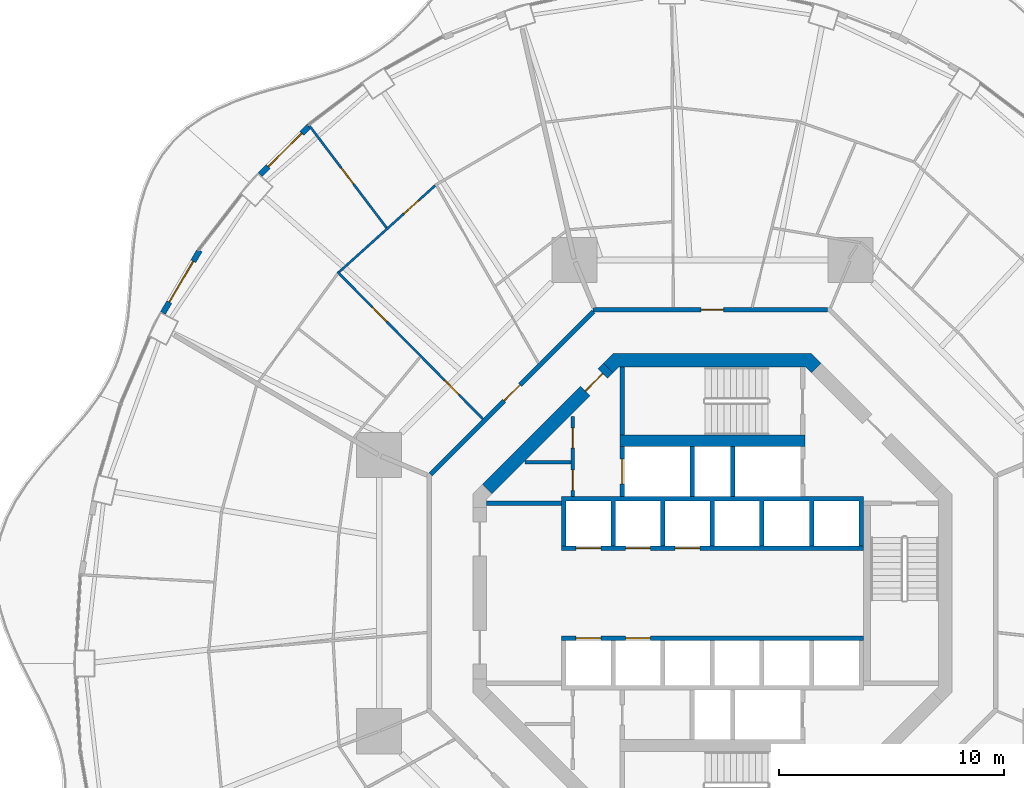
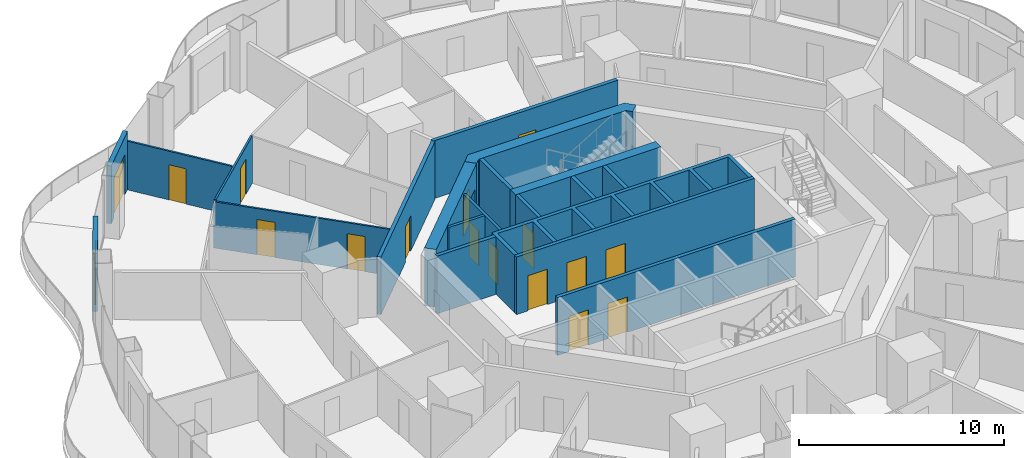
# One storey, part 15 of 20: 20 walls, 17 doors, 17 openings.
"""IFC4 building model written with IfcOpenShell, lengths in metres."""

from ifc_helpers import new_model, si_unit, direction, frame, frame_2d, origin, place, context, subcontext, project, spatial, polyline, rectangle, outline, extrude, material, layer, layer_set, type_object, element, fill, save


model = new_model("IFC4")

# Units and contexts
model_context = context("Model", 3, precision=1e-05, world=origin(), true_north=direction((0.0, 1.0)))
body_context = subcontext(model_context, "Body", "Model", "MODEL_VIEW")
ifc_project = project(units=[si_unit("LENGTHUNIT", "METRE"), si_unit("AREAUNIT", "SQUARE_METRE"), si_unit("VOLUMEUNIT", "CUBIC_METRE"), si_unit("PLANEANGLEUNIT", "RADIAN"), si_unit("MASSUNIT", "GRAM", prefix="KILO")], contexts=[model_context])

# Site, building, storey
site_placement = place(None, origin())
site = spatial("IfcSite", under=ifc_project, at=site_placement, CompositionType="ELEMENT")
building_placement = place(site_placement, origin())
building = spatial("IfcBuilding", under=site, at=building_placement, Name="Nagisa Residences", CompositionType="ELEMENT")
storey_placement = place(building_placement, frame((0.0, 0.0, 130.699951171875)))
storey = spatial("IfcBuildingStorey", under=building, at=storey_placement, Name="L32", CompositionType="ELEMENT", Elevation=130.699951171875)

# Wall, opening, door
ifc_material_1 = material(Name="Gypsum board on steel studs", Category="steel")
ifc_layer_1 = layer(ifc_material_1, 0.199951171875)
ifc_layer_set_1 = layer_set([ifc_layer_1], Name="Apartment entry wall EI60 200")
wall_type_1 = type_object("IfcWallType", Name="Apartment entry wall EI60 200", PredefinedType="PARTITIONING", material=ifc_layer_set_1)
wall_1_placement = place(storey_placement, frame((5.1044921875, 12.564697265625, 0.0), z_axis=(0.0, 0.0, 1.0), x_axis=(-1.0, 0.0, 0.0)))
wall_1 = element("IfcWall", 1, at=wall_1_placement, inside=storey, type_object=wall_type_1, Name="wall:L32:u12", PredefinedType="PARTITIONING", context=body_context, shape_type="SweptSolid", body=[
    extrude(rectangle(XDim=10.408935546875, YDim=0.199951171875, at=frame_2d((5.20458984375, 0.0))), origin(), (0.0, 0.0, 1.0), 3.43994140625),
])
opening_1_placement = place(wall_1_placement, frame((4.6044921875, 0.0, 0.0)))
opening_1 = element("IfcOpeningElement", 2, at=opening_1_placement, cuts=wall_1, Name="Opening L32-U44", PredefinedType="OPENING", context=body_context, shape_type="SweptSolid", body=[
    extrude(rectangle(XDim=1.0, YDim=2.10009765625, at=frame_2d((0.5, 1.050048828125))), frame((0.0, 0.10986328125, 0.0), z_axis=(0.0, -1.0, 0.0), x_axis=(1.0, 0.0, 0.0)), (0.0, 0.0, 1.0), 0.219970703125),
])
ifc_material_2 = material(Name="Timber fire door set", Category="wood")
door_type_1 = type_object("IfcDoorType", Name="Apartment entry door FD30S 1000x2100", OperationType="NOTDEFINED", PredefinedType="DOOR", material=ifc_material_2)
door_1_placement = place(opening_1_placement, frame((1.0, 0.0, 0.0), x_axis=(-1.0, 0.0, 0.0)))
door_1 = element("IfcDoor", 3, at=door_1_placement, inside=storey, type_object=door_type_1, Name="Entry door, Apartment 32E", OperationType="SINGLE_SWING_LEFT", OverallHeight=2.10009765625, OverallWidth=1.0, PredefinedType="DOOR", context=body_context, shape_type="SweptSolid", body=[
    extrude(rectangle(XDim=1.0, YDim=2.10009765625, at=frame_2d((0.5, 1.050048828125))), frame((0.0, 0.02490234375, 0.0), z_axis=(0.0, -1.0, 0.0), x_axis=(1.0, 0.0, 0.0)), (0.0, 0.0, 1.0), 0.050048828125),
])
fill(opening_1, door_1)

wall_2_placement = place(storey_placement, frame((-5.275146484375, 12.494140625, 0.0), z_axis=(0.0, 0.0, 1.0), x_axis=(-0.707106781187, -0.707106781187, 0.0)))
wall_2 = element("IfcWall", 4, at=wall_2_placement, inside=storey, type_object=wall_type_1, Name="wall:L32:u13", PredefinedType="PARTITIONING", context=body_context, shape_type="SweptSolid", body=[
    extrude(rectangle(XDim=10.209228515625, YDim=0.199951171875, at=frame_2d((5.1044921875, 0.0))), origin(), (0.0, 0.0, 1.0), 3.43994140625),
])
opening_2_placement = place(wall_2_placement, frame((4.6044921875, 0.0, 0.0)))
opening_2 = element("IfcOpeningElement", 5, at=opening_2_placement, cuts=wall_2, Name="Opening L32-U01", PredefinedType="OPENING", context=body_context, shape_type="SweptSolid", body=[
    extrude(rectangle(XDim=1.0, YDim=2.10009765625, at=frame_2d((0.5, 1.050048828125))), frame((0.0, 0.10986328125, 0.0), z_axis=(0.0, -1.0, 0.0), x_axis=(1.0, 0.0, 0.0)), (0.0, 0.0, 1.0), 0.219970703125),
])
door_2_placement = place(opening_2_placement, frame((1.0, 0.0, 0.0), x_axis=(-1.0, 0.0, 0.0)))
door_2 = element("IfcDoor", 6, at=door_2_placement, inside=storey, type_object=door_type_1, Name="Entry door, Apartment 32A", OperationType="SINGLE_SWING_RIGHT", OverallHeight=2.10009765625, OverallWidth=1.0, PredefinedType="DOOR", context=body_context, shape_type="SweptSolid", body=[
    extrude(rectangle(XDim=1.0, YDim=2.10009765625, at=frame_2d((0.5, 1.050048828125))), frame((0.0, 0.02490234375, 0.0), z_axis=(0.0, -1.0, 0.0), x_axis=(1.0, 0.0, 0.0)), (0.0, 0.0, 1.0), 0.050048828125),
])
fill(opening_2, door_2)

ifc_material_3 = material(Name="Gypsum board on steel studs", Category="steel")
ifc_layer_2 = layer(ifc_material_3, 0.10009765625)
ifc_layer_set_2 = layer_set([ifc_layer_2], Name="Apartment partition 100")
wall_type_2 = type_object("IfcWallType", Name="Apartment partition 100", PredefinedType="PARTITIONING", material=ifc_layer_set_2)
wall_3_placement = place(storey_placement, frame((-12.2890625, 18.088623046875, 0.0), z_axis=(0.0, 0.0, 1.0), x_axis=(-0.743146066164, -0.669129228435, 0.0)))
wall_3 = element("IfcWall", 7, at=wall_3_placement, inside=storey, type_object=wall_type_2, Name="wall:L32:u45", PredefinedType="PARTITIONING", context=body_context, shape_type="SweptSolid", body=[
    extrude(rectangle(XDim=5.7392578125, YDim=0.10009765625, at=frame_2d((2.86962890625, 0.0))), origin(), (0.0, 0.0, 1.0), 2.828125),
])
opening_3_placement = place(wall_3_placement, frame((0.98486328125, 0.0, 0.0)))
opening_3 = element("IfcOpeningElement", 8, at=opening_3_placement, cuts=wall_3, Name="Opening L32-U06", PredefinedType="OPENING", context=body_context, shape_type="SweptSolid", body=[
    extrude(rectangle(XDim=0.89990234375, YDim=2.10009765625, at=frame_2d((0.449951171875, 1.050048828125))), frame((0.0, 0.06005859375, 0.0), z_axis=(0.0, -1.0, 0.0), x_axis=(1.0, 0.0, 0.0)), (0.0, 0.0, 1.0), 0.1201171875),
])
ifc_material_4 = material(Name="Timber door set", Category="wood")
door_type_2 = type_object("IfcDoorType", Name="Apartment door 900x2100", OperationType="NOTDEFINED", PredefinedType="DOOR", material=ifc_material_4)
door_3_placement = place(opening_3_placement, frame((0.89990234375, 0.0, 0.0), x_axis=(-1.0, 0.0, 0.0)))
door_3 = element("IfcDoor", 9, at=door_3_placement, inside=storey, type_object=door_type_2, Name="Door to family room, Apartment 32A", OperationType="SINGLE_SWING_LEFT", OverallHeight=2.10009765625, OverallWidth=0.89990234375, PredefinedType="DOOR", context=body_context, shape_type="SweptSolid", body=[
    extrude(rectangle(XDim=0.89990234375, YDim=2.10009765625, at=frame_2d((0.449951171875, 1.050048828125))), frame((0.0, 0.02490234375, 0.0), z_axis=(0.0, -1.0, 0.0), x_axis=(1.0, 0.0, 0.0)), (0.0, 0.0, 1.0), 0.050048828125),
])
fill(opening_3, door_3)

wall_4_placement = place(storey_placement, frame((-14.451904296875, 16.208251953125, 0.0), z_axis=(0.0, 0.0, 1.0), x_axis=(-0.603267974074, 0.797538557975, 0.0)))
wall_4 = element("IfcWall", 10, at=wall_4_placement, inside=storey, type_object=wall_type_2, Name="wall:L32:u46", PredefinedType="PARTITIONING", context=body_context, shape_type="SweptSolid", body=[
    extrude(rectangle(XDim=5.764404296875, YDim=0.10009765625, at=frame_2d((2.88232421875, 0.0))), origin(), (0.0, 0.0, 1.0), 2.905029296875),
])
opening_4_placement = place(wall_4_placement, frame((2.432373046875, 0.0, 0.0)))
opening_4 = element("IfcOpeningElement", 11, at=opening_4_placement, cuts=wall_4, Name="Opening L32-U07", PredefinedType="OPENING", context=body_context, shape_type="SweptSolid", body=[
    extrude(rectangle(XDim=0.89990234375, YDim=2.10009765625, at=frame_2d((0.449951171875, 1.050048828125))), frame((0.0, 0.06005859375, 0.0), z_axis=(0.0, -1.0, 0.0), x_axis=(1.0, 0.0, 0.0)), (0.0, 0.0, 1.0), 0.1201171875),
])
door_4_placement = place(opening_4_placement, origin())
door_4 = element("IfcDoor", 12, at=door_4_placement, inside=storey, type_object=door_type_2, Name="Door to master bedroom, Apartment 32A", OperationType="SINGLE_SWING_LEFT", OverallHeight=2.10009765625, OverallWidth=0.89990234375, PredefinedType="DOOR", context=body_context, shape_type="SweptSolid", body=[
    extrude(rectangle(XDim=0.89990234375, YDim=2.10009765625, at=frame_2d((0.449951171875, 1.050048828125))), frame((0.0, 0.02490234375, 0.0), z_axis=(0.0, -1.0, 0.0), x_axis=(1.0, 0.0, 0.0)), (0.0, 0.0, 1.0), 0.050048828125),
])
fill(opening_4, door_4)

# Wall, openings, doors
wall_5_placement = place(storey_placement, frame((-10.181640625, 7.72900390625, 0.0), z_axis=(0.0, 0.0, 1.0), x_axis=(-0.702927211734, 0.711261790766, 0.0)))
wall_5 = element("IfcWall", 13, at=wall_5_placement, inside=storey, type_object=wall_type_2, Name="wall:L32:u47", PredefinedType="PARTITIONING", context=body_context, shape_type="SweptSolid", body=[
    extrude(rectangle(XDim=9.16845703125, YDim=0.10009765625, at=frame_2d((4.584228515625, 0.0))), origin(), (0.0, 0.0, 1.0), 2.756103515625),
])
opening_5_placement = place(wall_5_placement, frame((1.50732421875, 0.0, 0.0)))
opening_5 = element("IfcOpeningElement", 14, at=opening_5_placement, cuts=wall_5, Name="Opening L32-U03", PredefinedType="OPENING", context=body_context, shape_type="SweptSolid", body=[
    extrude(rectangle(XDim=0.89990234375, YDim=2.10009765625, at=frame_2d((0.449951171875, 1.050048828125))), frame((0.0, 0.06005859375, 0.0), z_axis=(0.0, -1.0, 0.0), x_axis=(1.0, 0.0, 0.0)), (0.0, 0.0, 1.0), 0.1201171875),
])
opening_6_placement = place(wall_5_placement, frame((6.066650390625, 0.0, 0.0)))
opening_6 = element("IfcOpeningElement", 15, at=opening_6_placement, cuts=wall_5, Name="Opening L32-U05", PredefinedType="OPENING", context=body_context, shape_type="SweptSolid", body=[
    extrude(rectangle(XDim=0.89990234375, YDim=2.10009765625, at=frame_2d((0.449951171875, 1.050048828125))), frame((0.0, 0.06005859375, 0.0), z_axis=(0.0, -1.0, 0.0), x_axis=(1.0, 0.0, 0.0)), (0.0, 0.0, 1.0), 0.1201171875),
])
door_5_placement = place(opening_5_placement, origin())
door_5 = element("IfcDoor", 16, at=door_5_placement, inside=storey, type_object=door_type_2, Name="Door to family bathroom, Apartment 32A", OperationType="SINGLE_SWING_LEFT", OverallHeight=2.10009765625, OverallWidth=0.89990234375, PredefinedType="DOOR", context=body_context, shape_type="SweptSolid", body=[
    extrude(rectangle(XDim=0.89990234375, YDim=2.10009765625, at=frame_2d((0.449951171875, 1.050048828125))), frame((0.0, 0.02490234375, 0.0), z_axis=(0.0, -1.0, 0.0), x_axis=(1.0, 0.0, 0.0)), (0.0, 0.0, 1.0), 0.050048828125),
])
fill(opening_5, door_5)
door_6_placement = place(opening_6_placement, origin())
door_6 = element("IfcDoor", 17, at=door_6_placement, inside=storey, type_object=door_type_2, Name="Door to family bathroom, Apartment 32A", OperationType="SINGLE_SWING_LEFT", OverallHeight=2.10009765625, OverallWidth=0.89990234375, PredefinedType="DOOR", context=body_context, shape_type="SweptSolid", body=[
    extrude(rectangle(XDim=0.89990234375, YDim=2.10009765625, at=frame_2d((0.449951171875, 1.050048828125))), frame((0.0, 0.02490234375, 0.0), z_axis=(0.0, -1.0, 0.0), x_axis=(1.0, 0.0, 0.0)), (0.0, 0.0, 1.0), 0.050048828125),
])
fill(opening_6, door_6)

# Wall, opening, door
ifc_material_5 = material(Name="Precast concrete C40/50", Category="concrete")
ifc_layer_3 = layer(ifc_material_5, 0.25)
ifc_layer_set_3 = layer_set([ifc_layer_3], Name="BALCONY DOOR WALL 250")
wall_type_3 = type_object("IfcWallType", Name="BALCONY DOOR WALL 250", PredefinedType="SOLIDWALL", material=ifc_layer_set_3)
wall_6_placement = place(storey_placement, frame((-20.050048828125, 18.56884765625, 0.0), z_axis=(0.0, 0.0, 1.0), x_axis=(0.707857823335, 0.706354940482, 0.0)))
wall_6 = element("IfcWall", 18, at=wall_6_placement, inside=storey, type_object=wall_type_3, Name="wall:L32:bay17", PredefinedType="SOLIDWALL", context=body_context, shape_type="SweptSolid", body=[
    extrude(rectangle(XDim=3.08642578125, YDim=0.25, at=frame_2d((1.543212890625, 0.0))), origin(), (0.0, 0.0, 1.0), 3.43994140625),
])
opening_7_placement = place(wall_6_placement, frame((0.493408203125, 0.0, 0.0)))
opening_7 = element("IfcOpeningElement", 19, at=opening_7_placement, cuts=wall_6, Name="Opening BD-L32-06", PredefinedType="OPENING", context=body_context, shape_type="SweptSolid", body=[
    extrude(rectangle(XDim=2.10009765625, YDim=2.39990234375, at=frame_2d((1.050048828125, 1.199951171875))), frame((0.0, 0.135009765625, 0.0), z_axis=(0.0, -1.0, 0.0), x_axis=(1.0, 0.0, 0.0)), (0.0, 0.0, 1.0), 0.27001953125),
])
ifc_material_6 = material(Name="Aluminium and clear glass", Category="aluminium")
door_type_3 = type_object("IfcDoorType", Name="BALCONY SLIDING DOOR 2100x2400", OperationType="SLIDING_TO_LEFT", PredefinedType="DOOR", material=ifc_material_6)
door_7_placement = place(opening_7_placement, origin())
door_7 = element("IfcDoor", 20, at=door_7_placement, inside=storey, type_object=door_type_3, Name="door:L32:bay17", OperationType="SLIDING_TO_LEFT", OverallHeight=2.39990234375, OverallWidth=2.10009765625, PredefinedType="DOOR", context=body_context, shape_type="SweptSolid", body=[
    extrude(rectangle(XDim=2.10009765625, YDim=2.39990234375, at=frame_2d((1.050048828125, 1.199951171875))), frame((0.0, 0.02490234375, 0.0), z_axis=(0.0, -1.0, 0.0), x_axis=(1.0, 0.0, 0.0)), (0.0, 0.0, 1.0), 0.050048828125),
])
fill(opening_7, door_7)

wall_7_placement = place(storey_placement, frame((-24.368408203125, 12.433837890625, 0.0), z_axis=(0.0, 0.0, 1.0), x_axis=(0.506314982873, 0.862348617508, 0.0)))
wall_7 = element("IfcWall", 21, at=wall_7_placement, inside=storey, type_object=wall_type_3, Name="wall:L32:bay19", PredefinedType="SOLIDWALL", context=body_context, shape_type="SweptSolid", body=[
    extrude(rectangle(XDim=3.20849609375, YDim=0.25, at=frame_2d((1.604248046875, 0.0))), origin(), (0.0, 0.0, 1.0), 3.43994140625),
])
opening_8_placement = place(wall_7_placement, frame((0.55419921875, 0.0, 0.0)))
opening_8 = element("IfcOpeningElement", 22, at=opening_8_placement, cuts=wall_7, Name="Opening BD-L32-07", PredefinedType="OPENING", context=body_context, shape_type="SweptSolid", body=[
    extrude(rectangle(XDim=2.10009765625, YDim=2.39990234375, at=frame_2d((1.050048828125, 1.199951171875))), frame((0.0, 0.135009765625, 0.0), z_axis=(0.0, -1.0, 0.0), x_axis=(1.0, 0.0, 0.0)), (0.0, 0.0, 1.0), 0.27001953125),
])
door_8_placement = place(opening_8_placement, origin())
door_8 = element("IfcDoor", 23, at=door_8_placement, inside=storey, type_object=door_type_3, Name="door:L32:bay19", OperationType="SLIDING_TO_LEFT", OverallHeight=2.39990234375, OverallWidth=2.10009765625, PredefinedType="DOOR", context=body_context, shape_type="SweptSolid", body=[
    extrude(rectangle(XDim=2.10009765625, YDim=2.39990234375, at=frame_2d((1.050048828125, 1.199951171875))), frame((0.0, 0.02490234375, 0.0), z_axis=(0.0, -1.0, 0.0), x_axis=(1.0, 0.0, 0.0)), (0.0, 0.0, 1.0), 0.050048828125),
])
fill(opening_8, door_8)

# Wall, openings, doors
ifc_material_7 = material(Name="Gypsum board on steel studs", Category="steel")
ifc_layer_4 = layer(ifc_material_7, 0.14990234375)
ifc_layer_set_4 = layer_set([ifc_layer_4], Name="Core partition 150")
wall_type_4 = type_object("IfcWallType", Name="Core partition 150", PredefinedType="PARTITIONING", material=ifc_layer_set_4)
wall_8_placement = place(storey_placement, frame((-6.199951171875, 4.300048828125, 0.0), z_axis=(0.0, 0.0, 1.0), x_axis=(0.0, 1.0, 0.0)))
wall_8 = element("IfcWall", 24, at=wall_8_placement, inside=storey, type_object=wall_type_4, Name="wall:L32:NWp", PredefinedType="PARTITIONING", context=body_context, shape_type="SweptSolid", body=[
    extrude(rectangle(XDim=3.52685546875, YDim=0.14990234375, at=frame_2d((1.763427734375, 0.0))), origin(), (0.0, 0.0, 1.0), 3.43994140625),
])
opening_9_placement = place(wall_8_placement, frame((0.262451171875, 0.0, 0.0)))
opening_9 = element("IfcOpeningElement", 25, at=opening_9_placement, cuts=wall_8, Name="Opening L32-C12", PredefinedType="OPENING", context=body_context, shape_type="SweptSolid", body=[
    extrude(rectangle(XDim=0.89990234375, YDim=2.10009765625, at=frame_2d((0.449951171875, 1.050048828125))), frame((0.0, 0.0849609375, 0.0), z_axis=(0.0, -1.0, 0.0), x_axis=(1.0, 0.0, 0.0)), (0.0, 0.0, 1.0), 0.169921875),
])
opening_10_placement = place(wall_8_placement, frame((2.138427734375, 0.0, 0.0)))
opening_10 = element("IfcOpeningElement", 26, at=opening_10_placement, cuts=wall_8, Name="Opening L32-C13", PredefinedType="OPENING", context=body_context, shape_type="SweptSolid", body=[
    extrude(rectangle(XDim=0.89990234375, YDim=2.10009765625, at=frame_2d((0.449951171875, 1.050048828125))), frame((0.0, 0.0849609375, 0.0), z_axis=(0.0, -1.0, 0.0), x_axis=(1.0, 0.0, 0.0)), (0.0, 0.0, 1.0), 0.169921875),
])
ifc_material_8 = material(Name="Steel fire door", Category="steel")
door_type_4 = type_object("IfcDoorType", Name="Fire door EI30 900x2100 single swing", OperationType="NOTDEFINED", PredefinedType="DOOR", material=ifc_material_8)
door_9_placement = place(opening_9_placement, origin())
door_9 = element("IfcDoor", 27, at=door_9_placement, inside=storey, type_object=door_type_4, Name="Electrical room door L32", OperationType="SINGLE_SWING_RIGHT", OverallHeight=2.10009765625, OverallWidth=0.89990234375, PredefinedType="DOOR", context=body_context, shape_type="SweptSolid", body=[
    extrude(rectangle(XDim=0.89990234375, YDim=2.10009765625, at=frame_2d((0.449951171875, 1.050048828125))), frame((0.0, 0.02490234375, 0.0), z_axis=(0.0, -1.0, 0.0), x_axis=(1.0, 0.0, 0.0)), (0.0, 0.0, 1.0), 0.050048828125),
])
fill(opening_9, door_9)
door_10_placement = place(opening_10_placement, origin())
door_10 = element("IfcDoor", 28, at=door_10_placement, inside=storey, type_object=door_type_4, Name="Telecom room door L32", OperationType="SINGLE_SWING_RIGHT", OverallHeight=2.10009765625, OverallWidth=0.89990234375, PredefinedType="DOOR", context=body_context, shape_type="SweptSolid", body=[
    extrude(rectangle(XDim=0.89990234375, YDim=2.10009765625, at=frame_2d((0.449951171875, 1.050048828125))), frame((0.0, 0.02490234375, 0.0), z_axis=(0.0, -1.0, 0.0), x_axis=(1.0, 0.0, 0.0)), (0.0, 0.0, 1.0), 0.050048828125),
])
fill(opening_10, door_10)

# Walls
wall_9_placement = place(storey_placement, frame((-8.301025390625, 5.800048828125, 0.0), z_axis=(0.0, 0.0, 1.0), x_axis=(1.0, 0.0, 0.0)))
element("IfcWall", 29, at=wall_9_placement, inside=storey, type_object=wall_type_4, Name="wall:L32:NWq", PredefinedType="PARTITIONING", context=body_context, shape_type="SweptSolid", body=[
    extrude(rectangle(XDim=2.026123046875, YDim=0.14990234375, at=frame_2d((1.01318359375, 0.0))), origin(), (0.0, 0.0, 1.0), 3.43994140625),
])
ifc_material_9 = material(Name="Gypsum board on steel studs", Category="steel")
ifc_layer_5 = layer(ifc_material_9, 0.199951171875)
ifc_layer_set_5 = layer_set([ifc_layer_5], Name="Core partition 200")
wall_type_5 = type_object("IfcWallType", Name="Core partition 200", PredefinedType="PARTITIONING", material=ifc_layer_set_5)
wall_10_placement = place(storey_placement, frame((-10.024658203125, 4.0, 0.0), z_axis=(0.0, 0.0, 1.0), x_axis=(1.0, 0.0, 0.0)))
element("IfcWall", 30, at=wall_10_placement, inside=storey, type_object=wall_type_5, Name="wall:L32:PNW", PredefinedType="PARTITIONING", context=body_context, shape_type="SweptSolid", body=[
    extrude(rectangle(XDim=3.32470703125, YDim=0.199951171875, at=frame_2d((1.662353515625, 0.0))), origin(), (0.0, 0.0, 1.0), 3.43994140625),
])

# Wall, opening, door
ifc_material_10 = material(Name="Concrete C60", Category="concrete")
ifc_layer_6 = layer(ifc_material_10, 0.60009765625)
ifc_layer_set_6 = layer_set([ifc_layer_6], Name="Core shear wall 600")
wall_type_6 = type_object("IfcWallType", Name="Core shear wall 600", PredefinedType="SHEAR", material=ifc_layer_set_6)
wall_11_placement = place(storey_placement, frame((-4.613037109375, 9.98828125, 0.0), z_axis=(0.0, 0.0, 1.0), x_axis=(-0.707106781187, -0.707106781187, 0.0)))
wall_11 = element("IfcWall", 31, at=wall_11_placement, inside=storey, type_object=wall_type_6, Name="wall:L32:core:flat3", PredefinedType="SHEAR", context=body_context, shape_type="SweptSolid", body=[
    extrude(rectangle(XDim=7.601806640625, YDim=0.60009765625, at=frame_2d((3.80078125, 0.0))), origin(), (0.0, 0.0, 1.0), 3.43994140625),
])
opening_11_placement = place(wall_11_placement, frame((0.350830078125, 0.0, 0.0)))
opening_11 = element("IfcOpeningElement", 32, at=opening_11_placement, cuts=wall_11, Name="Opening L32-C21", PredefinedType="OPENING", context=body_context, shape_type="SweptSolid", body=[
    extrude(rectangle(XDim=1.10009765625, YDim=2.10009765625, at=frame_2d((0.550048828125, 1.050048828125))), frame((0.0, 0.31005859375, 0.0), z_axis=(0.0, -1.0, 0.0), x_axis=(1.0, 0.0, 0.0)), (0.0, 0.0, 1.0), 0.6201171875),
])
ifc_material_11 = material(Name="Steel fire door", Category="steel")
door_type_5 = type_object("IfcDoorType", Name="Fire door EI60 1100x2100 single swing", OperationType="NOTDEFINED", PredefinedType="DOOR", material=ifc_material_11)
door_11_placement = place(opening_11_placement, origin())
door_11 = element("IfcDoor", 33, at=door_11_placement, inside=storey, type_object=door_type_5, Name="Service lobby door L32", OperationType="SINGLE_SWING_LEFT", OverallHeight=2.10009765625, OverallWidth=1.10009765625, PredefinedType="DOOR", context=body_context, shape_type="SweptSolid", body=[
    extrude(rectangle(XDim=1.10009765625, YDim=2.10009765625, at=frame_2d((0.550048828125, 1.050048828125))), frame((0.0, 0.02490234375, 0.0), z_axis=(0.0, -1.0, 0.0), x_axis=(1.0, 0.0, 0.0)), (0.0, 0.0, 1.0), 0.050048828125),
])
fill(opening_11, door_11)

# Wall
wall_12_placement = place(storey_placement, origin())
element("IfcWall", 34, at=wall_12_placement, inside=storey, type_object=wall_type_6, Name="wall:L32:core:flat2", PredefinedType="SHEAR", context=body_context, shape_type="SweptSolid", body=[
    extrude(outline(polyline([(-4.15234375, 10.024658203125), (-4.40087890625, 9.776123046875), (-4.8251953125, 10.200439453125), (-4.40087890625, 10.62451171875), (4.40087890625, 10.62451171875), (4.8251953125, 10.200439453125), (4.40087890625, 9.776123046875), (4.15234375, 10.024658203125), (-4.15234375, 10.024658203125)])), origin(), (0.0, 0.0, 1.0), 3.43994140625),
])

# Wall, opening, door
ifc_material_12 = material(Name="Concrete C60", Category="concrete")
ifc_layer_7 = layer(ifc_material_12, 0.199951171875)
ifc_layer_set_7 = layer_set([ifc_layer_7], Name="Lift shaft wall 200")
wall_type_7 = type_object("IfcWallType", Name="Lift shaft wall 200", PredefinedType="SOLIDWALL", material=ifc_layer_set_7)
wall_13_placement = place(storey_placement, frame((-4.0, 4.300048828125, 0.0), z_axis=(0.0, 0.0, 1.0), x_axis=(0.0, 1.0, 0.0)))
wall_13 = element("IfcWall", 35, at=wall_13_placement, inside=storey, type_object=wall_type_7, Name="wall:L32:Nb4", PredefinedType="SOLIDWALL", context=body_context, shape_type="SweptSolid", body=[
    extrude(rectangle(XDim=2.199951171875, YDim=0.199951171875, at=frame_2d((1.10009765625, 0.0))), origin(), (0.0, 0.0, 1.0), 3.43994140625),
])
opening_12_placement = place(wall_13_placement, frame((0.550048828125, 0.0, 0.0)))
opening_12 = element("IfcOpeningElement", 36, at=opening_12_placement, cuts=wall_13, Name="Opening L32-C08", PredefinedType="OPENING", context=body_context, shape_type="SweptSolid", body=[
    extrude(rectangle(XDim=1.10009765625, YDim=2.10009765625, at=frame_2d((0.550048828125, 1.050048828125))), frame((0.0, 0.10986328125, 0.0), z_axis=(0.0, -1.0, 0.0), x_axis=(1.0, 0.0, 0.0)), (0.0, 0.0, 1.0), 0.219970703125),
])
ifc_material_13 = material(Name="Stainless steel", Category="steel")
door_type_6 = type_object("IfcDoorType", Name="Lift landing door 1100x2100", OperationType="DOUBLE_DOOR_SLIDING", PredefinedType="DOOR", material=ifc_material_13)
door_12_placement = place(opening_12_placement, origin())
door_12 = element("IfcDoor", 37, at=door_12_placement, inside=storey, type_object=door_type_6, Name="Landing door SV L32", OperationType="DOUBLE_DOOR_SLIDING", OverallHeight=2.10009765625, OverallWidth=1.10009765625, PredefinedType="DOOR", context=body_context, shape_type="SweptSolid", body=[
    extrude(rectangle(XDim=1.10009765625, YDim=2.10009765625, at=frame_2d((0.550048828125, 1.050048828125))), frame((0.0, 0.02490234375, 0.0), z_axis=(0.0, -1.0, 0.0), x_axis=(1.0, 0.0, 0.0)), (0.0, 0.0, 1.0), 0.050048828125),
])
fill(opening_12, door_12)

# Wall, openings, doors
wall_14_placement = place(storey_placement, frame((-6.699951171875, 2.0, 0.0), z_axis=(0.0, 0.0, 1.0), x_axis=(1.0, 0.0, 0.0)))
wall_14 = element("IfcWall", 38, at=wall_14_placement, inside=storey, type_object=wall_type_7, Name="wall:L32:Nfront", PredefinedType="SOLIDWALL", context=body_context, shape_type="SweptSolid", body=[
    extrude(rectangle(XDim=13.39990234375, YDim=0.199951171875, at=frame_2d((6.699951171875, 0.0))), origin(), (0.0, 0.0, 1.0), 3.43994140625),
])
opening_13_placement = place(wall_14_placement, frame((0.64990234375, 0.0, 0.0)))
opening_13 = element("IfcOpeningElement", 39, at=opening_13_placement, cuts=wall_14, Name="Opening L32-C01", PredefinedType="OPENING", context=body_context, shape_type="SweptSolid", body=[
    extrude(rectangle(XDim=1.10009765625, YDim=2.10009765625, at=frame_2d((0.550048828125, 1.050048828125))), frame((0.0, 0.10986328125, 0.0), z_axis=(0.0, -1.0, 0.0), x_axis=(1.0, 0.0, 0.0)), (0.0, 0.0, 1.0), 0.219970703125),
])
opening_14_placement = place(wall_14_placement, frame((2.85009765625, 0.0, 0.0)))
opening_14 = element("IfcOpeningElement", 40, at=opening_14_placement, cuts=wall_14, Name="Opening L32-C02", PredefinedType="OPENING", context=body_context, shape_type="SweptSolid", body=[
    extrude(rectangle(XDim=1.10009765625, YDim=2.10009765625, at=frame_2d((0.550048828125, 1.050048828125))), frame((0.0, 0.10986328125, 0.0), z_axis=(0.0, -1.0, 0.0), x_axis=(1.0, 0.0, 0.0)), (0.0, 0.0, 1.0), 0.219970703125),
])
opening_15_placement = place(wall_14_placement, frame((5.050048828125, 0.0, 0.0)))
opening_15 = element("IfcOpeningElement", 41, at=opening_15_placement, cuts=wall_14, Name="Opening L32-C03", PredefinedType="OPENING", context=body_context, shape_type="SweptSolid", body=[
    extrude(rectangle(XDim=1.10009765625, YDim=2.10009765625, at=frame_2d((0.550048828125, 1.050048828125))), frame((0.0, 0.10986328125, 0.0), z_axis=(0.0, -1.0, 0.0), x_axis=(1.0, 0.0, 0.0)), (0.0, 0.0, 1.0), 0.219970703125),
])
door_13_placement = place(opening_13_placement, origin())
door_13 = element("IfcDoor", 42, at=door_13_placement, inside=storey, type_object=door_type_6, Name="Landing door A1 L32", OperationType="DOUBLE_DOOR_SLIDING", OverallHeight=2.10009765625, OverallWidth=1.10009765625, PredefinedType="DOOR", context=body_context, shape_type="SweptSolid", body=[
    extrude(rectangle(XDim=1.10009765625, YDim=2.10009765625, at=frame_2d((0.550048828125, 1.050048828125))), frame((0.0, 0.02490234375, 0.0), z_axis=(0.0, -1.0, 0.0), x_axis=(1.0, 0.0, 0.0)), (0.0, 0.0, 1.0), 0.050048828125),
])
fill(opening_13, door_13)
door_14_placement = place(opening_14_placement, origin())
door_14 = element("IfcDoor", 43, at=door_14_placement, inside=storey, type_object=door_type_6, Name="Landing door A2 L32", OperationType="DOUBLE_DOOR_SLIDING", OverallHeight=2.10009765625, OverallWidth=1.10009765625, PredefinedType="DOOR", context=body_context, shape_type="SweptSolid", body=[
    extrude(rectangle(XDim=1.10009765625, YDim=2.10009765625, at=frame_2d((0.550048828125, 1.050048828125))), frame((0.0, 0.02490234375, 0.0), z_axis=(0.0, -1.0, 0.0), x_axis=(1.0, 0.0, 0.0)), (0.0, 0.0, 1.0), 0.050048828125),
])
fill(opening_14, door_14)
door_15_placement = place(opening_15_placement, origin())
door_15 = element("IfcDoor", 44, at=door_15_placement, inside=storey, type_object=door_type_6, Name="Landing door A3 L32", OperationType="DOUBLE_DOOR_SLIDING", OverallHeight=2.10009765625, OverallWidth=1.10009765625, PredefinedType="DOOR", context=body_context, shape_type="SweptSolid", body=[
    extrude(rectangle(XDim=1.10009765625, YDim=2.10009765625, at=frame_2d((0.550048828125, 1.050048828125))), frame((0.0, 0.02490234375, 0.0), z_axis=(0.0, -1.0, 0.0), x_axis=(1.0, 0.0, 0.0)), (0.0, 0.0, 1.0), 0.050048828125),
])
fill(opening_15, door_15)

wall_15_placement = place(storey_placement, frame((-6.699951171875, -2.0, 0.0), z_axis=(0.0, 0.0, 1.0), x_axis=(1.0, 0.0, 0.0)))
wall_15 = element("IfcWall", 45, at=wall_15_placement, inside=storey, type_object=wall_type_7, Name="wall:L32:Sfront", PredefinedType="SOLIDWALL", context=body_context, shape_type="SweptSolid", body=[
    extrude(rectangle(XDim=13.39990234375, YDim=0.199951171875, at=frame_2d((6.699951171875, 0.0))), origin(), (0.0, 0.0, 1.0), 3.43994140625),
])
opening_16_placement = place(wall_15_placement, frame((0.64990234375, 0.0, 0.0)))
opening_16 = element("IfcOpeningElement", 46, at=opening_16_placement, cuts=wall_15, Name="Opening L32-C04", PredefinedType="OPENING", context=body_context, shape_type="SweptSolid", body=[
    extrude(rectangle(XDim=1.10009765625, YDim=2.10009765625, at=frame_2d((0.550048828125, 1.050048828125))), frame((0.0, 0.10986328125, 0.0), z_axis=(0.0, -1.0, 0.0), x_axis=(1.0, 0.0, 0.0)), (0.0, 0.0, 1.0), 0.219970703125),
])
opening_17_placement = place(wall_15_placement, frame((2.85009765625, 0.0, 0.0)))
opening_17 = element("IfcOpeningElement", 47, at=opening_17_placement, cuts=wall_15, Name="Opening L32-C05", PredefinedType="OPENING", context=body_context, shape_type="SweptSolid", body=[
    extrude(rectangle(XDim=1.10009765625, YDim=2.10009765625, at=frame_2d((0.550048828125, 1.050048828125))), frame((0.0, 0.10986328125, 0.0), z_axis=(0.0, -1.0, 0.0), x_axis=(1.0, 0.0, 0.0)), (0.0, 0.0, 1.0), 0.219970703125),
])
door_16_placement = place(opening_16_placement, origin())
door_16 = element("IfcDoor", 48, at=door_16_placement, inside=storey, type_object=door_type_6, Name="Landing door A4 L32", OperationType="DOUBLE_DOOR_SLIDING", OverallHeight=2.10009765625, OverallWidth=1.10009765625, PredefinedType="DOOR", context=body_context, shape_type="SweptSolid", body=[
    extrude(rectangle(XDim=1.10009765625, YDim=2.10009765625, at=frame_2d((0.550048828125, 1.050048828125))), frame((0.0, 0.02490234375, 0.0), z_axis=(0.0, -1.0, 0.0), x_axis=(1.0, 0.0, 0.0)), (0.0, 0.0, 1.0), 0.050048828125),
])
fill(opening_16, door_16)
door_17_placement = place(opening_17_placement, origin())
door_17 = element("IfcDoor", 49, at=door_17_placement, inside=storey, type_object=door_type_6, Name="Landing door A5 L32", OperationType="DOUBLE_DOOR_SLIDING", OverallHeight=2.10009765625, OverallWidth=1.10009765625, PredefinedType="DOOR", context=body_context, shape_type="SweptSolid", body=[
    extrude(rectangle(XDim=1.10009765625, YDim=2.10009765625, at=frame_2d((0.550048828125, 1.050048828125))), frame((0.0, 0.02490234375, 0.0), z_axis=(0.0, -1.0, 0.0), x_axis=(1.0, 0.0, 0.0)), (0.0, 0.0, 1.0), 0.050048828125),
])
fill(opening_17, door_17)

# Walls
for number, where, z_axis, x_axis, name in (
    (50, (-0.89990234375, 4.300048828125, 0.0), (0.0, 0.0, 1.0), (0.0, 1.0, 0.0), "wall:L32:Nb1"),
    (51, (0.89990234375, 4.300048828125, 0.0), (0.0, 0.0, 1.0), (0.0, 1.0, 0.0), "wall:L32:Nb2"),
):
    element("IfcWall", number, at=place(storey_placement, frame(where, z_axis=z_axis, x_axis=x_axis)), inside=storey, type_object=wall_type_7, Name=name, PredefinedType="SOLIDWALL", context=body_context, shape_type="SweptSolid", body=[
        extrude(rectangle(XDim=2.199951171875, YDim=0.199951171875, at=frame_2d((1.10009765625, 0.0))), origin(), (0.0, 0.0, 1.0), 3.43994140625),
    ])
wall_16_placement = place(storey_placement, origin())
element("IfcWall", 52, at=wall_16_placement, inside=storey, type_object=wall_type_7, Name="wall:L32:Nback", PredefinedType="SOLIDWALL", context=body_context, shape_type="SweptSolid", body=[
    extrude(outline(polyline([(-6.5, 2.10009765625), (-6.699951171875, 2.10009765625), (-6.699951171875, 4.300048828125), (6.699951171875, 4.300048828125), (6.699951171875, 2.10009765625), (6.5, 2.10009765625), (6.5, 4.10009765625), (4.5, 4.10009765625), (4.5, 2.10009765625), (4.300048828125, 2.10009765625), (4.300048828125, 4.10009765625), (2.300048828125, 4.10009765625), (2.300048828125, 2.10009765625), (2.10009765625, 2.10009765625), (2.10009765625, 4.10009765625), (0.10009765625, 4.10009765625), (0.10009765625, 2.10009765625), (-0.10009765625, 2.10009765625), (-0.10009765625, 4.10009765625), (-2.10009765625, 4.10009765625), (-2.10009765625, 2.10009765625), (-2.300048828125, 2.10009765625), (-2.300048828125, 4.10009765625), (-4.300048828125, 4.10009765625), (-4.300048828125, 2.10009765625), (-4.5, 2.10009765625), (-4.5, 4.10009765625), (-6.5, 4.10009765625), (-6.5, 2.10009765625)])), origin(), (0.0, 0.0, 1.0), 3.43994140625),
])
ifc_material_14 = material(Name="Concrete C60", Category="concrete")
ifc_layer_8 = layer(ifc_material_14, 0.199951171875)
ifc_layer_set_8 = layer_set([ifc_layer_8], Name="Stair enclosure wall 200")
wall_type_8 = type_object("IfcWallType", Name="Stair enclosure wall 200", PredefinedType="SOLIDWALL", material=ifc_layer_set_8)
wall_17_placement = place(storey_placement, origin())
element("IfcWall", 53, at=wall_17_placement, inside=storey, type_object=wall_type_8, Name="wall:L32:SN_w", PredefinedType="SOLIDWALL", context=body_context, shape_type="SweptSolid", body=[
    extrude(outline(polyline([(-3.89990234375, 7.024658203125), (-4.10009765625, 7.024658203125), (-4.10009765625, 10.024658203125), (-3.89990234375, 10.024658203125), (-3.89990234375, 7.024658203125)])), origin(), (0.0, 0.0, 1.0), 3.43994140625),
])
wall_18_placement = place(storey_placement, origin())
element("IfcWall", 54, at=wall_18_placement, inside=storey, type_object=wall_type_8, Name="wall:L32:SN_s", PredefinedType="SOLIDWALL", context=body_context, shape_type="SweptSolid", body=[
    extrude(outline(polyline([(4.10009765625, 6.5), (-4.10009765625, 6.5), (-4.10009765625, 7.024658203125), (4.10009765625, 7.024658203125), (4.10009765625, 6.5)])), origin(), (0.0, 0.0, 1.0), 3.43994140625),
])

save(model, "model.ifc")
